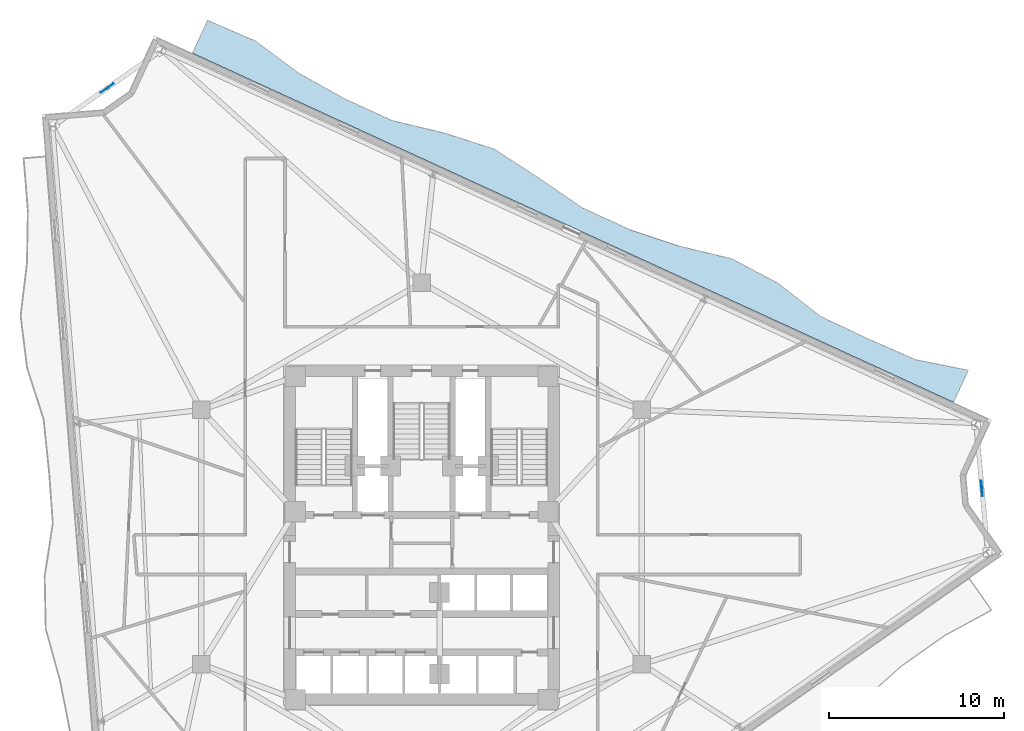
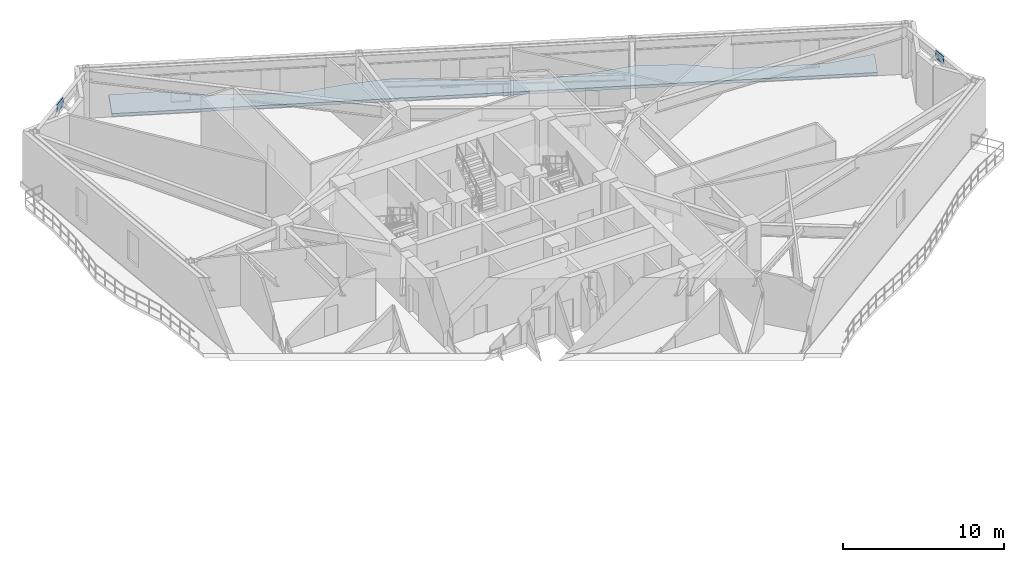
# One storey, part 6 of 14: 2 plates, 1 slab.
"""IFC4 building model written with IfcOpenShell, lengths in metres."""

from ifc_helpers import new_model, si_unit, direction, frame, origin, origin_2d, place, context, subcontext, project, spatial, polyline, rectangle, outline, extrude, material, layer, layer_set, type_object, element, save


model = new_model("IFC4")

# Units and contexts
model_context = context("Model", 3, precision=1e-05, world=origin(), true_north=direction((0.0, 1.0)))
body_context = subcontext(model_context, "Body", "Model", "MODEL_VIEW")
ifc_project = project(units=[si_unit("LENGTHUNIT", "METRE"), si_unit("AREAUNIT", "SQUARE_METRE"), si_unit("VOLUMEUNIT", "CUBIC_METRE"), si_unit("PLANEANGLEUNIT", "RADIAN"), si_unit("MASSUNIT", "GRAM", prefix="KILO")], contexts=[model_context])

# Site, building, storey
site_placement = place(None, origin())
site = spatial("IfcSite", under=ifc_project, at=site_placement, CompositionType="ELEMENT")
building_placement = place(site_placement, origin())
building = spatial("IfcBuilding", under=site, at=building_placement, Name="Apsidion Concourse Tower", CompositionType="ELEMENT")
storey_placement = place(building_placement, frame((0.0, 0.0, 194.199951171875)))
storey = spatial("IfcBuildingStorey", under=building, at=storey_placement, Name="L45", CompositionType="ELEMENT", Elevation=194.199951171875)

# Plates
ifc_material_1 = material(Name="Structural steel ASTM A572 Grade 50", Category="steel")
ifc_layer_1 = layer(ifc_material_1, 0.0400390625)
ifc_layer_set_1 = layer_set([ifc_layer_1], Name="Structural steel ASTM A572 Grade 50")
plate_type = type_object("IfcPlateType", Name="PL-GUSSET-40", PredefinedType="SHEET", material=ifc_layer_set_1)
for number, where, z_axis, x_axis, name in (
    (1, (31.938720703125, 2.773193359375, 3.27001953125), (0.0, 0.0, 1.0), (-0.090284945449, 0.995915974681, 0.0), "L45 Chevron Apex Node Gusset Plate KNA-2"),
    (2, (-17.921630859375, 25.5947265625, 3.27001953125), (0.0, 0.0, 1.0), (0.819152044289, 0.573576436351, 0.0), "L45 Chevron Apex Node Gusset Plate KNA-3"),
):
    element("IfcPlate", number, at=place(storey_placement, frame(where, z_axis=z_axis, x_axis=x_axis)), inside=storey, type_object=plate_type, Name=name, PredefinedType="SHEET", context=body_context, shape_type="SweptSolid", body=[
        extrude(rectangle(XDim=0.89990234375, YDim=0.0400390625, at=origin_2d()), origin(), (0.0, 0.0, 1.0), 0.60009765625),
    ])

# Slab
ifc_material_2 = material(Name="Concrete C50/60", Category="concrete")
ifc_layer_2 = layer(ifc_material_2, 0.219970703125)
ifc_layer_set_2 = layer_set([ifc_layer_2], Name="Concrete C50/60")
slab_type = type_object("IfcSlabType", Name="SL-BAL-220", PredefinedType="FLOOR", material=ifc_layer_set_2)
slab_placement = place(storey_placement, frame((0.0, 0.0, -0.219970703125)))
element("IfcSlab", 3, at=slab_placement, inside=storey, type_object=slab_type, Name="L45 Face 3 Rippling Balcony Slab", PredefinedType="FLOOR", context=body_context, shape_type="SweptSolid", body=[
    extrude(outline(polyline([(30.32080078125, 7.6865234375), (27.609375, 8.93017578125), (24.898193359375, 10.174072265625), (22.186767578125, 11.417724609375), (19.475341796875, 12.661376953125), (16.76416015625, 13.9052734375), (14.052734375, 15.14892578125), (11.34130859375, 16.392578125), (8.630126953125, 17.636474609375), (5.918701171875, 18.880126953125), (3.20751953125, 20.123779296875), (0.49609375, 21.36767578125), (-2.215087890625, 22.611328125), (-4.926513671875, 23.85498046875), (-7.637939453125, 25.098876953125), (-10.34912109375, 26.342529296875), (-13.060546875, 27.586181640625), (-12.203369140625, 29.455078125), (-9.464111328125, 28.27197265625), (-7.016845703125, 26.452392578125), (-4.405517578125, 24.9912109375), (-1.694091796875, 23.74755859375), (1.26416015625, 23.0419921875), (4.1240234375, 22.122314453125), (6.653564453125, 20.48193359375), (9.1513671875, 18.772705078125), (11.862548828125, 17.52880859375), (14.7099609375, 16.581298828125), (17.6640625, 15.8671875), (20.30810546875, 14.476806640625), (22.724365234375, 12.589599609375), (25.419189453125, 11.31005859375), (28.15380859375, 10.11669921875), (31.15869140625, 9.51318359375), (30.32080078125, 7.6865234375)])), origin(), (0.0, 0.0, 1.0), 0.219970703125),
])

save(model, "model.ifc")
